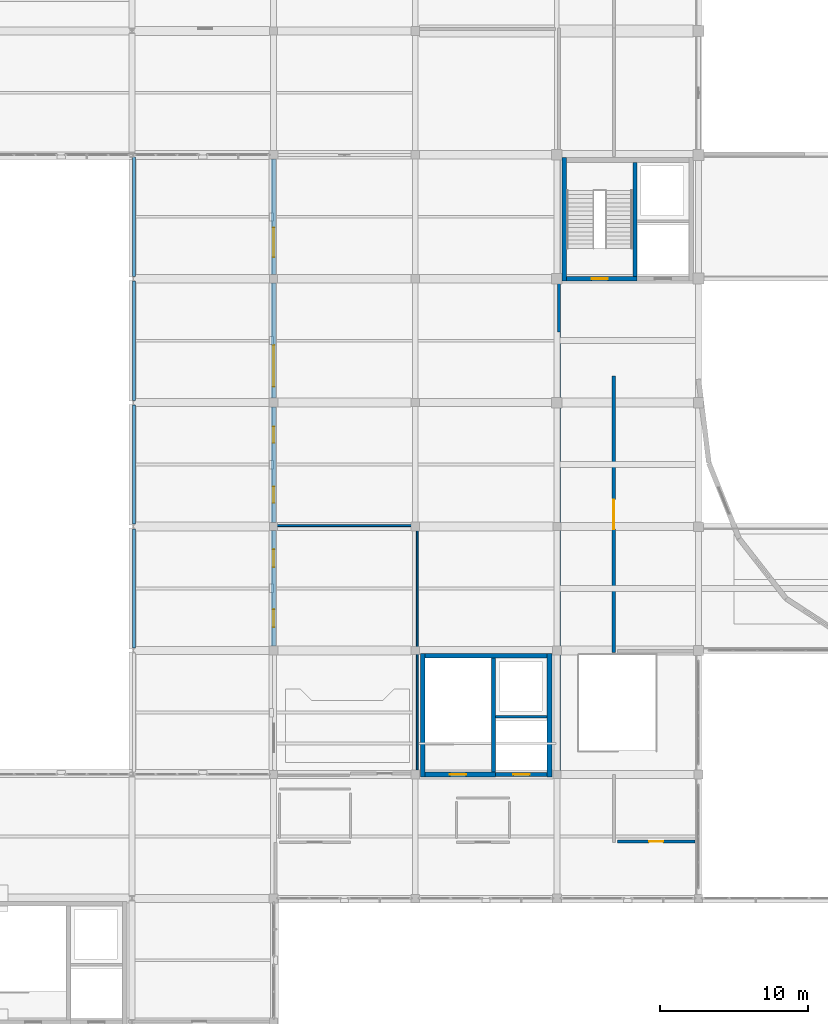
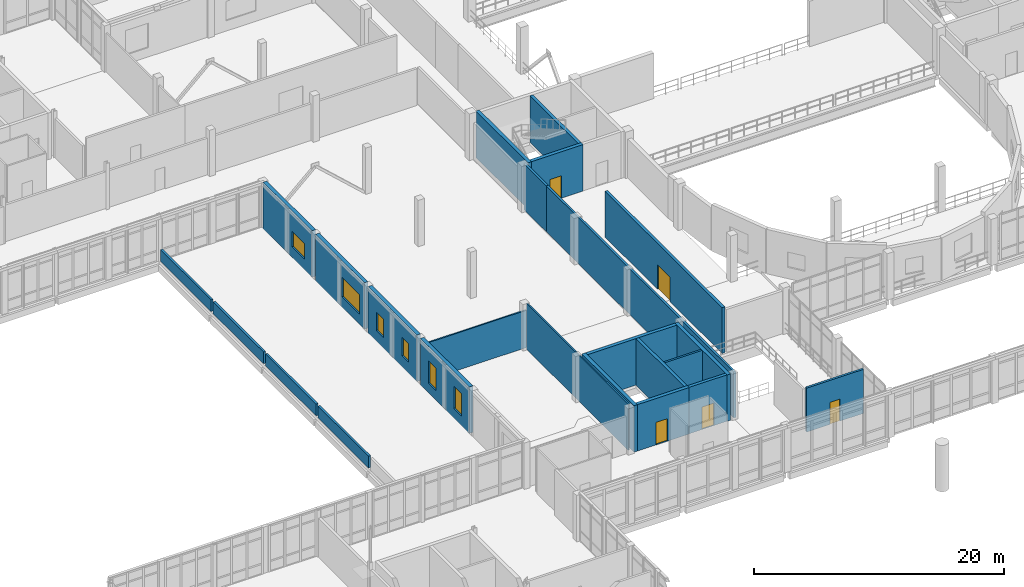
# One storey, part 73 of 88: 24 walls, 6 windows, 5 doors, 11 openings.
"""IFC4 building model written with IfcOpenShell, lengths in metres."""

import ifcopenshell
import ifcopenshell.guid

model = None  # the IFC model being written
_history = None  # IfcOwnerHistory: only IFC2X3 demands one
_inside = {}  # id of a spatial element -> (the spatial element, [elements in it])
_under = {}  # id of a project, library or spatial element -> (it, [spatial elements below it])
_declared = {}  # id of a project -> (the project, [libraries it declares])
_typed = {}  # id of a type object -> (the type object, [elements of that type])
_made_of = {}  # id of a material, layer set ... -> (it, [elements and type objects made of it])


def new_model(schema):
    """Start an empty IFC model of exactly this schema.

    Asked for "IFC4X3", IfcOpenShell would pick the latest addendum, in which some entities
    have other attributes; the version numbers below select the first issue.
    IFC2X3 requires an IfcOwnerHistory on every rooted entity: one is made here for all.
    """
    global model, _history
    if schema == "IFC4X3":
        model = ifcopenshell.file(schema_version=(4, 3, 0, 0))
    else:
        model = ifcopenshell.file(schema=schema)
    _inside.clear()
    _under.clear()
    _declared.clear()
    _typed.clear()
    _made_of.clear()
    _history = None
    if model.schema == "IFC2X3":
        org = make("IfcOrganization", Name="unknown")
        user = make(
            "IfcPersonAndOrganization",
            ThePerson=make("IfcPerson", FamilyName="unknown"),
            TheOrganization=org,
        )
        app = make(
            "IfcApplication",
            ApplicationDeveloper=org,
            Version="unknown",
            ApplicationFullName="unknown",
            ApplicationIdentifier="unknown",
        )
        _history = make(
            "IfcOwnerHistory",
            OwningUser=user,
            OwningApplication=app,
            ChangeAction="ADDED",
            CreationDate=0,
        )
    return model


def make(cls, **values):
    """One entity of the class cls with the attributes given. An attribute that is None is left unset."""
    return model.create_entity(
        cls, **{name: value for name, value in values.items() if value is not None}
    )


def rooted(cls, **values):
    """An entity with a GlobalId (a new one), such as an element, a storey or a relation."""
    return make(cls, GlobalId=ifcopenshell.guid.new(), OwnerHistory=_history, **values)


def si_unit(unit_type, name, prefix=None):
    """IfcSIUnit, for example si_unit("LENGTHUNIT", "METRE", prefix="MILLI")."""
    return make("IfcSIUnit", UnitType=unit_type, Prefix=prefix, Name=name)


def assignment(units):
    """IfcUnitAssignment: the units of a project."""
    return None if units is None else make("IfcUnitAssignment", Units=units)


def point(xyz):
    """IfcCartesianPoint."""
    return None if xyz is None else make("IfcCartesianPoint", Coordinates=xyz)


def direction(xyz):
    """IfcDirection."""
    return None if xyz is None else make("IfcDirection", DirectionRatios=xyz)


def frame(location, z_axis=None, x_axis=None):
    """IfcAxis2Placement3D, a coordinate frame: its origin and axes. An axis left out is left unset."""
    return make(
        "IfcAxis2Placement3D",
        Location=point(location),
        Axis=direction(z_axis),
        RefDirection=direction(x_axis),
    )


def frame_2d(location, x_axis=None):
    """IfcAxis2Placement2D, a coordinate frame in the plane: its origin and x axis."""
    return make(
        "IfcAxis2Placement2D", Location=point(location), RefDirection=direction(x_axis)
    )


def origin():
    """The frame at (0, 0, 0) with its axes left unset."""
    return frame((0.0, 0.0, 0.0))


def place(relative_to, where):
    """IfcLocalPlacement: puts the frame where relative to a parent placement (None: the world)."""
    return make(
        "IfcLocalPlacement", PlacementRelTo=relative_to, RelativePlacement=where
    )


def context(
    kind, dimensions, precision=None, world=None, true_north=None, identifier=None
):
    """IfcGeometricRepresentationContext, for example the 3D "Model" context."""
    return make(
        "IfcGeometricRepresentationContext",
        ContextIdentifier=identifier,
        ContextType=kind,
        CoordinateSpaceDimension=dimensions,
        Precision=precision,
        WorldCoordinateSystem=world,
        TrueNorth=true_north,
    )


def subcontext(parent, identifier, kind, view, scale=None):
    """IfcGeometricRepresentationSubContext, for example "Body" below "Model"."""
    return make(
        "IfcGeometricRepresentationSubContext",
        ContextIdentifier=identifier,
        ContextType=kind,
        ParentContext=parent,
        TargetScale=scale,
        TargetView=view,
    )


def project(units=None, contexts=None):
    """IfcProject with its units and contexts."""
    return rooted(
        "IfcProject",
        Name="project",
        RepresentationContexts=contexts,
        UnitsInContext=assignment(units),
    )


def spatial(cls, under=None, at=None, **own):
    """A site, building, storey or space (cls), placed at a placement, below another one or the project."""
    s = rooted(cls, ObjectPlacement=at, **own)
    if under is not None:
        _under.setdefault(under.id(), (under, []))[1].append(s)
    return s


def profile(cls, at=None, kind="AREA", **sizes):
    """A parametric profile (cls). Its sizes go by their IFC names, for example OverallWidth=200.0."""
    return make(cls, ProfileType=kind, Position=at, **sizes)


def rectangle(**sizes):
    """IfcRectangleProfileDef."""
    return profile("IfcRectangleProfileDef", **sizes)


def extrude(swept, where, along, depth):
    """IfcExtrudedAreaSolid: the profile swept, set in the frame where, extruded along a direction by depth."""
    return make(
        "IfcExtrudedAreaSolid",
        SweptArea=swept,
        Position=where,
        ExtrudedDirection=direction(along),
        Depth=depth,
    )


def shape(context_of_items, identifier, shape_type, items):
    """IfcShapeRepresentation: the items that make up one representation, for example the "Body"."""
    return make(
        "IfcShapeRepresentation",
        ContextOfItems=context_of_items,
        RepresentationIdentifier=identifier,
        RepresentationType=shape_type,
        Items=items,
    )


def material(Name=None, Category=None):
    """IfcMaterial."""
    return make("IfcMaterial", Name=Name, Category=Category)


def layer(
    of_material, thickness, ventilated=None, Name=None, Category=None, Priority=None
):
    """IfcMaterialLayer: one layer of a wall or slab, of a material (None: an air gap)."""
    return make(
        "IfcMaterialLayer",
        Material=of_material,
        LayerThickness=thickness,
        IsVentilated=ventilated,
        Name=Name,
        Category=Category,
        Priority=Priority,
    )


def layer_set(layers, Name=None):
    """IfcMaterialLayerSet."""
    return make("IfcMaterialLayerSet", MaterialLayers=layers, LayerSetName=Name)


def made_of(thing, what):
    """Note that an element or type object is made of a material, layer set ...; save() writes the relation."""
    if what is not None:
        _made_of.setdefault(what.id(), (what, []))[1].append(thing)
    return thing


def type_object(cls, material=None, **own):
    """A type object (cls), such as IfcWallType, which elements share."""
    return made_of(rooted(cls, **own), material)


def element(
    cls,
    number,
    at=None,
    inside=None,
    cuts=None,
    type_object=None,
    material=None,
    context=None,
    identifier="Body",
    shape_type=None,
    held_by="IfcProductDefinitionShape",
    body=None,
    shapes=None,
    **own,
):
    """One element of the class cls, such as IfcWall. Its Tag is "e" and its number.

    at: its placement. inside: the storey or other place that contains it. cuts: it is an
    opening in that element (IfcRelVoidsElement). A single representation is given by context,
    identifier, shape_type and body (its items); several are given by shapes. held_by: the class
    of the entity that holds the representations. save() writes the other relations.
    """
    e = rooted(cls, Tag="e%d" % number, ObjectPlacement=at, **own)
    if body is not None:
        shapes = [shape(context, identifier, shape_type, body)]
    if shapes is not None:
        e.Representation = make(held_by, Representations=shapes)
    if inside is not None:
        _inside.setdefault(inside.id(), (inside, []))[1].append(e)
    if cuts is not None:
        rooted(
            "IfcRelVoidsElement", RelatingBuildingElement=cuts, RelatedOpeningElement=e
        )
    if type_object is not None:
        _typed.setdefault(type_object.id(), (type_object, []))[1].append(e)
    return made_of(e, material)


def fill(opening, filler):
    """IfcRelFillsElement: the door or window that sits in an opening."""
    return rooted(
        "IfcRelFillsElement",
        RelatingOpeningElement=opening,
        RelatedBuildingElement=filler,
    )


def aggregate(whole, parts):
    """IfcRelAggregates: a whole, such as a stair, and the parts it consists of."""
    return rooted("IfcRelAggregates", RelatingObject=whole, RelatedObjects=parts)


def save(model, path):
    """Write the relations noted so far, then the file.

    IfcRelAggregates (storeys below a building ...), IfcRelContainedInSpatialStructure (elements
    in a storey), IfcRelDefinesByType, IfcRelAssociatesMaterial and IfcRelDeclares: one each for
    every whole, place, type object, material and project.
    """
    for whole, parts in _under.values():
        aggregate(whole, parts)
    for where, things in _inside.values():
        rooted(
            "IfcRelContainedInSpatialStructure",
            RelatedElements=things,
            RelatingStructure=where,
        )
    for kind, things in _typed.values():
        rooted("IfcRelDefinesByType", RelatedObjects=things, RelatingType=kind)
    for what, things in _made_of.values():
        rooted("IfcRelAssociatesMaterial", RelatedObjects=things, RelatingMaterial=what)
    for by, libraries in _declared.values():
        rooted("IfcRelDeclares", RelatingContext=by, RelatedDefinitions=libraries)
    model.write(path)


model = new_model("IFC4")

# Units and contexts
model_context = context("Model", 3, precision=1e-05, world=origin(), true_north=direction((0.0, 1.0)))
body_context = subcontext(model_context, "Body", "Model", "MODEL_VIEW")
ifc_project = project(units=[si_unit("LENGTHUNIT", "METRE"), si_unit("AREAUNIT", "SQUARE_METRE"), si_unit("VOLUMEUNIT", "CUBIC_METRE"), si_unit("PLANEANGLEUNIT", "RADIAN"), si_unit("MASSUNIT", "GRAM", prefix="KILO")], contexts=[model_context])

# Site, building, storey
site_placement = place(None, origin())
site = spatial("IfcSite", under=ifc_project, at=site_placement, CompositionType="ELEMENT")
building_placement = place(site_placement, origin())
building = spatial("IfcBuilding", under=site, at=building_placement, Name="Lornevale Opera House", CompositionType="ELEMENT")
storey_placement = place(building_placement, frame((0.0, 0.0, 10.199951171875)))
storey = spatial("IfcBuildingStorey", under=building, at=storey_placement, Name="L03", CompositionType="ELEMENT", Elevation=10.199951171875)

# Wall, opening, door
ifc_material_1 = material(Name="Acoustic Mineral-Core Gypsum Partition", Category="gypsum")
ifc_layer_1 = layer(ifc_material_1, 0.25)
ifc_layer_set_1 = layer_set([ifc_layer_1], Name="Acoustic Mineral-Core Gypsum Partition")
wall_type_1 = type_object("IfcWallType", Name="Auditorium Box-in-Box Liner 250", PredefinedType="SOLIDWALL", material=ifc_layer_set_1)
wall_1_placement = place(storey_placement, frame((61.4599609375, 33.449951171875, 0.0), z_axis=(0.0, 0.0, 1.0), x_axis=(0.0, 1.0, 0.0)))
wall_1 = element("IfcWall", 1, at=wall_1_placement, inside=storey, type_object=wall_type_1, Name="L03 Partition WL-INT-0818", PredefinedType="SOLIDWALL", context=body_context, shape_type="SweptSolid", body=[
    extrude(rectangle(XDim=18.75, YDim=0.25, at=frame_2d((9.375, 0.0))), origin(), (0.0, 0.0, 1.0), 4.47998046875),
])
opening_1_placement = place(wall_1_placement, frame((8.375, 0.0, 0.0)))
opening_1 = element("IfcOpeningElement", 2, at=opening_1_placement, cuts=wall_1, Name="Opening DR-T14", PredefinedType="OPENING", context=body_context, shape_type="SweptSolid", body=[
    extrude(rectangle(XDim=2.0, YDim=2.39990234375, at=frame_2d((1.0, 1.199951171875))), frame((0.0, 0.135009765625, 0.0), z_axis=(0.0, -1.0, 0.0), x_axis=(1.0, 0.0, 0.0)), (0.0, 0.0, 1.0), 0.27001953125),
])
ifc_material_2 = material(Name="White Oak Acoustic Panelling", Category="wood")
ifc_layer_2 = layer(ifc_material_2, 2.39990234375)
ifc_layer_set_2 = layer_set([ifc_layer_2], Name="White Oak Acoustic Panelling")
door_type_1 = type_object("IfcDoorType", Name="Auditorium Acoustic Sound-Lock Pair 2000x2400", OperationType="NOTDEFINED", PredefinedType="DOOR", material=ifc_layer_set_2)
door_1_placement = place(opening_1_placement, origin())
door_1 = element("IfcDoor", 3, at=door_1_placement, inside=storey, type_object=door_type_1, Name="Auditorium Dress Circle Tier Door", OperationType="DOUBLE_SWING_LEFT", OverallHeight=2.39990234375, OverallWidth=2.0, PredefinedType="DOOR", context=body_context, shape_type="SweptSolid", body=[
    extrude(rectangle(XDim=2.0, YDim=2.39990234375, at=frame_2d((1.0, 1.199951171875))), frame((0.0, 0.02490234375, 0.0), z_axis=(0.0, -1.0, 0.0), x_axis=(1.0, 0.0, 0.0)), (0.0, 0.0, 1.0), 0.050048828125),
])
fill(opening_1, door_1)

ifc_material_3 = material(Name="Concrete 40 MPa (CSA A23.1 C-1)", Category="concrete")
ifc_layer_3 = layer(ifc_material_3, 0.320068359375)
ifc_layer_set_3 = layer_set([ifc_layer_3], Name="Concrete 40 MPa (CSA A23.1 C-1)")
wall_type_2 = type_object("IfcWallType", Name="Core Shear Wall 320", PredefinedType="SHEAR", material=ifc_layer_set_3)
wall_2_placement = place(storey_placement, frame((48.659912109375, 25.199951171875, 0.0), z_axis=(0.0, 0.0, 1.0), x_axis=(1.0, 0.0, 0.0)))
wall_2 = element("IfcWall", 4, at=wall_2_placement, inside=storey, type_object=wall_type_2, Name="South-West Foyer Core Core Shear Wall 320 WL-COR-0029", PredefinedType="SHEAR", context=body_context, shape_type="SweptSolid", body=[
    extrude(rectangle(XDim=4.780029296875, YDim=0.320068359375, at=frame_2d((2.39013671875, 0.0))), origin(), (0.0, 0.0, 1.0), 4.5400390625),
])
opening_2_placement = place(wall_2_placement, frame((1.68994140625, 0.0, 0.0)))
opening_2 = element("IfcOpeningElement", 5, at=opening_2_placement, cuts=wall_2, Name="Opening DR-T10", PredefinedType="OPENING", context=body_context, shape_type="SweptSolid", body=[
    extrude(rectangle(XDim=1.10009765625, YDim=2.199951171875, at=frame_2d((0.550048828125, 1.10009765625))), frame((0.0, 0.169921875, 0.0), z_axis=(0.0, -1.0, 0.0), x_axis=(1.0, 0.0, 0.0)), (0.0, 0.0, 1.0), 0.340087890625),
])
ifc_material_4 = material(Name="Painted Hollow Metal Door Steel", Category="steel")
ifc_layer_4 = layer(ifc_material_4, 2.199951171875)
ifc_layer_set_4 = layer_set([ifc_layer_4], Name="Painted Hollow Metal Door Steel")
door_type_2 = type_object("IfcDoorType", Name="Protected Exit Stair Door L 1100x2200", OperationType="NOTDEFINED", PredefinedType="DOOR", material=ifc_layer_set_4)
door_2_placement = place(opening_2_placement, origin())
door_2 = element("IfcDoor", 6, at=door_2_placement, inside=storey, type_object=door_type_2, Name="C1 Stair Door L03", OperationType="SINGLE_SWING_LEFT", OverallHeight=2.199951171875, OverallWidth=1.10009765625, PredefinedType="DOOR", context=body_context, shape_type="SweptSolid", body=[
    extrude(rectangle(XDim=1.10009765625, YDim=2.199951171875, at=frame_2d((0.550048828125, 1.10009765625))), frame((0.0, 0.02490234375, 0.0), z_axis=(0.0, -1.0, 0.0), x_axis=(1.0, 0.0, 0.0)), (0.0, 0.0, 1.0), 0.050048828125),
])
fill(opening_2, door_2)

# Walls
wall_3_placement = place(storey_placement, frame((56.93994140625, 33.239990234375, 0.0), z_axis=(0.0, 0.0, 1.0), x_axis=(-1.0, 0.0, 0.0)))
element("IfcWall", 7, at=wall_3_placement, inside=storey, type_object=wall_type_2, Name="South-West Foyer Core Core Shear Wall 320 WL-COR-0031", PredefinedType="SHEAR", context=body_context, shape_type="SweptSolid", body=[
    extrude(rectangle(XDim=8.280029296875, YDim=0.320068359375, at=frame_2d((4.14013671875, 0.0))), origin(), (0.0, 0.0, 1.0), 4.5400390625),
])
for number, where, z_axis, x_axis, name in (
    (8, (48.5, 33.39990234375, 0.0), (0.0, 0.0, 1.0), (0.0, -1.0, 0.0), "South-West Foyer Core Core Shear Wall 320 WL-COR-0032"),
    (9, (57.10009765625, 25.0400390625, 0.0), (0.0, 0.0, 1.0), (0.0, 1.0, 0.0), "South-West Foyer Core Core Shear Wall 320 WL-COR-0033"),
):
    element("IfcWall", number, at=place(storey_placement, frame(where, z_axis=z_axis, x_axis=x_axis)), inside=storey, type_object=wall_type_2, Name=name, PredefinedType="SHEAR", context=body_context, shape_type="SweptSolid", body=[
        extrude(rectangle(XDim=8.35986328125, YDim=0.320068359375, at=frame_2d((4.179931640625, 0.0))), origin(), (0.0, 0.0, 1.0), 4.5400390625),
    ])

# Wall, opening, door
wall_4_placement = place(storey_placement, frame((58.260009765625, 58.800048828125, 0.0), z_axis=(0.0, 0.0, 1.0), x_axis=(1.0, 0.0, 0.0)))
wall_4 = element("IfcWall", 10, at=wall_4_placement, inside=storey, type_object=wall_type_2, Name="Auditorium West Tier Core Core Shear Wall 320 WL-COR-0176", PredefinedType="SHEAR", context=body_context, shape_type="SweptSolid", body=[
    extrude(rectangle(XDim=4.780029296875, YDim=0.320068359375, at=frame_2d((2.39013671875, 0.0))), origin(), (0.0, 0.0, 1.0), 4.5400390625),
])
opening_3_placement = place(wall_4_placement, frame((1.68994140625, 0.0, 0.0)))
opening_3 = element("IfcOpeningElement", 11, at=opening_3_placement, cuts=wall_4, Name="Opening DR-T10", PredefinedType="OPENING", context=body_context, shape_type="SweptSolid", body=[
    extrude(rectangle(XDim=1.10009765625, YDim=2.199951171875, at=frame_2d((0.550048828125, 1.10009765625))), frame((0.0, 0.169921875, 0.0), z_axis=(0.0, -1.0, 0.0), x_axis=(1.0, 0.0, 0.0)), (0.0, 0.0, 1.0), 0.340087890625),
])
door_3_placement = place(opening_3_placement, origin())
door_3 = element("IfcDoor", 12, at=door_3_placement, inside=storey, type_object=door_type_2, Name="C5 Stair Door L03", OperationType="SINGLE_SWING_LEFT", OverallHeight=2.199951171875, OverallWidth=1.10009765625, PredefinedType="DOOR", context=body_context, shape_type="SweptSolid", body=[
    extrude(rectangle(XDim=1.10009765625, YDim=2.199951171875, at=frame_2d((0.550048828125, 1.10009765625))), frame((0.0, 0.02490234375, 0.0), z_axis=(0.0, -1.0, 0.0), x_axis=(1.0, 0.0, 0.0)), (0.0, 0.0, 1.0), 0.050048828125),
])
fill(opening_3, door_3)

# Walls
wall_5_placement = place(storey_placement, frame((58.10009765625, 67.0, 0.0), z_axis=(0.0, 0.0, 1.0), x_axis=(0.0, -1.0, 0.0)))
element("IfcWall", 13, at=wall_5_placement, inside=storey, type_object=wall_type_2, Name="Auditorium West Tier Core Core Shear Wall 320 WL-COR-0179", PredefinedType="SHEAR", context=body_context, shape_type="SweptSolid", body=[
    extrude(rectangle(XDim=8.360107421875, YDim=0.320068359375, at=frame_2d((4.18017578125, 0.0))), origin(), (0.0, 0.0, 1.0), 4.5400390625),
])
ifc_layer_5 = layer(ifc_material_1, 0.125)
ifc_layer_set_5 = layer_set([ifc_layer_5], Name="Acoustic Mineral-Core Gypsum Partition")
wall_type_3 = type_object("IfcWallType", Name="Dressing Suite Partition 125", PredefinedType="PARTITIONING", material=ifc_layer_set_5)
wall_6_placement = place(storey_placement, frame((38.6201171875, 42.06005859375, 0.0), z_axis=(0.0, 0.0, 1.0), x_axis=(1.0, 0.0, 0.0)))
element("IfcWall", 14, at=wall_6_placement, inside=storey, type_object=wall_type_3, Name="L03 Partition WL-INT-0852", PredefinedType="PARTITIONING", context=body_context, shape_type="SweptSolid", body=[
    extrude(rectangle(XDim=9.579833984375, YDim=0.125, at=frame_2d((4.7900390625, 0.0))), origin(), (0.0, 0.0, 1.0), 3.649169921875),
])
wall_7_placement = place(storey_placement, frame((48.139892578125, 25.510009765625, 0.0), z_axis=(0.0, 0.0, 1.0), x_axis=(0.0, 1.0, 0.0)))
element("IfcWall", 15, at=wall_7_placement, inside=storey, type_object=wall_type_3, Name="L03 Partition WL-INT-0853", PredefinedType="PARTITIONING", context=body_context, shape_type="SweptSolid", body=[
    extrude(rectangle(XDim=16.300048828125, YDim=0.125, at=frame_2d((8.14990234375, 0.0))), origin(), (0.0, 0.0, 1.0), 4.47998046875),
])

# Wall, opening, door
ifc_layer_6 = layer(ifc_material_3, 0.280029296875)
ifc_layer_set_6 = layer_set([ifc_layer_6], Name="Concrete 40 MPa (CSA A23.1 C-1)")
wall_type_4 = type_object("IfcWallType", Name="Elevator Shaft Wall 280", PredefinedType="SHEAR", material=ifc_layer_set_6)
wall_8_placement = place(storey_placement, frame((53.43994140625, 25.199951171875, 0.0), z_axis=(0.0, 0.0, 1.0), x_axis=(1.0, 0.0, 0.0)))
wall_8 = element("IfcWall", 16, at=wall_8_placement, inside=storey, type_object=wall_type_4, Name="South-West Foyer Core Elevator Shaft Wall 280 WL-COR-0030", PredefinedType="SHEAR", context=body_context, shape_type="SweptSolid", body=[
    extrude(rectangle(XDim=3.5, YDim=0.280029296875, at=frame_2d((1.75, 0.0))), origin(), (0.0, 0.0, 1.0), 4.5400390625),
])
opening_4_placement = place(wall_8_placement, frame((1.2099609375, 0.0, 0.0)))
opening_4 = element("IfcOpeningElement", 17, at=opening_4_placement, cuts=wall_8, Name="Opening DR-T25", PredefinedType="OPENING", context=body_context, shape_type="SweptSolid", body=[
    extrude(rectangle(XDim=1.10009765625, YDim=2.199951171875, at=frame_2d((0.550048828125, 1.10009765625))), frame((0.0, 0.14990234375, 0.0), z_axis=(0.0, -1.0, 0.0), x_axis=(1.0, 0.0, 0.0)), (0.0, 0.0, 1.0), 0.300048828125),
])
ifc_layer_7 = layer(ifc_material_4, 2.199951171875)
ifc_layer_set_7 = layer_set([ifc_layer_7], Name="Painted Hollow Metal Door Steel")
door_type_3 = type_object("IfcDoorType", Name="Passenger Lift Landing Door 1100x2200", OperationType="NOTDEFINED", PredefinedType="DOOR", material=ifc_layer_set_7)
door_4_placement = place(opening_4_placement, origin())
door_4 = element("IfcDoor", 18, at=door_4_placement, inside=storey, type_object=door_type_3, Name="L-P1 Landing Door L03", OperationType="SLIDING_TO_LEFT", OverallHeight=2.199951171875, OverallWidth=1.10009765625, PredefinedType="DOOR", context=body_context, shape_type="SweptSolid", body=[
    extrude(rectangle(XDim=1.10009765625, YDim=2.199951171875, at=frame_2d((0.550048828125, 1.10009765625))), frame((0.0, 0.02490234375, 0.0), z_axis=(0.0, -1.0, 0.0), x_axis=(1.0, 0.0, 0.0)), (0.0, 0.0, 1.0), 0.050048828125),
])
fill(opening_4, door_4)

# Walls
for number, where, z_axis, x_axis, name in (
    (19, (53.300048828125, 25.360107421875, 0.0), (0.0, 0.0, 1.0), (0.0, 1.0, 0.0), "South-West Foyer Core Elevator Shaft Wall 280 WL-COR-0034"),
    (20, (62.89990234375, 58.9599609375, 0.0), (0.0, 0.0, 1.0), (0.0, 1.0, 0.0), "Auditorium West Tier Core Elevator Shaft Wall 280 WL-COR-0181"),
):
    element("IfcWall", number, at=place(storey_placement, frame(where, z_axis=z_axis, x_axis=x_axis)), inside=storey, type_object=wall_type_4, Name=name, PredefinedType="SHEAR", context=body_context, shape_type="SweptSolid", body=[
        extrude(rectangle(XDim=7.719970703125, YDim=0.280029296875, at=frame_2d((3.85986328125, 0.0))), origin(), (0.0, 0.0, 1.0), 4.5400390625),
    ])
ifc_material_5 = material(Name="Precast Concrete 40 MPa (CSA A23.1 C-1)", Category="concrete")
ifc_layer_8 = layer(ifc_material_5, 0.195068359375)
ifc_layer_set_8 = layer_set([ifc_layer_8], Name="Precast Concrete 40 MPa (CSA A23.1 C-1)")
wall_type_5 = type_object("IfcWallType", Name="Green Roof Parapet Wall 195", PredefinedType="PARAPET", material=ifc_layer_set_8)
wall_9_placement = place(storey_placement, frame((28.929931640625, 42.159912109375, 0.0), z_axis=(0.0, 0.0, 1.0), x_axis=(0.0, 1.0, 0.0)))
element("IfcWall", 21, at=wall_9_placement, inside=storey, type_object=wall_type_5, Name="Green Roof Parapet Wall 195 0398", PredefinedType="PARAPET", context=body_context, shape_type="SweptSolid", body=[
    extrude(rectangle(XDim=8.080078125, YDim=0.195068359375, at=frame_2d((4.0400390625, 0.0))), origin(), (0.0, 0.0, 1.0), 1.150146484375),
])
wall_10_placement = place(storey_placement, frame((28.929931640625, 50.56005859375, 0.0), z_axis=(0.0, 0.0, 1.0), x_axis=(0.0, 1.0, 0.0)))
element("IfcWall", 22, at=wall_10_placement, inside=storey, type_object=wall_type_5, Name="Green Roof Parapet Wall 195 0399", PredefinedType="PARAPET", context=body_context, shape_type="SweptSolid", body=[
    extrude(rectangle(XDim=8.079833984375, YDim=0.195068359375, at=frame_2d((4.0400390625, 0.0))), origin(), (0.0, 0.0, 1.0), 1.150146484375),
])
for number, where, z_axis, x_axis, name in (
    (23, (28.929931640625, 58.9599609375, 0.0), (0.0, 0.0, 1.0), (0.0, 1.0, 0.0), "Green Roof Parapet Wall 195 0400"),
    (24, (28.929931640625, 33.760009765625, 0.0), (0.0, 0.0, 1.0), (0.0, 1.0, 0.0), "Green Roof Parapet Wall 195 0402"),
):
    element("IfcWall", number, at=place(storey_placement, frame(where, z_axis=z_axis, x_axis=x_axis)), inside=storey, type_object=wall_type_5, Name=name, PredefinedType="PARAPET", context=body_context, shape_type="SweptSolid", body=[
        extrude(rectangle(XDim=8.080078125, YDim=0.195068359375, at=frame_2d((4.0400390625, 0.0))), origin(), (0.0, 0.0, 1.0), 1.150146484375),
    ])

# Wall, openings, windows
ifc_material_6 = material(Name="Credit Valley Sandstone Ashlar Masonry (25 MPa)", Category="masonry")
ifc_layer_9 = layer(ifc_material_6, 0.340087890625)
ifc_layer_set_9 = layer_set([ifc_layer_9], Name="Credit Valley Sandstone Ashlar Masonry (25 MPa)")
wall_type_6 = type_object("IfcWallType", Name="Polychrome Drum Cavity Wall 340", PredefinedType="SOLIDWALL", material=ifc_layer_set_9)
wall_11_placement = place(storey_placement, frame((38.39990234375, 33.89990234375, 0.0), z_axis=(0.0, 0.0, 1.0), x_axis=(0.0, 1.0, 0.0)))
wall_11 = element("IfcWall", 25, at=wall_11_placement, inside=storey, type_object=wall_type_6, Name="Polychrome Drum Cavity Wall 340 WL-EXT-0226", PredefinedType="SOLIDWALL", context=body_context, shape_type="SweptSolid", body=[
    extrude(rectangle(XDim=7.8251953125, YDim=0.340087890625, at=frame_2d((3.91259765625, 0.0))), origin(), (0.0, 0.0, 1.0), 4.5400390625),
])
opening_5_placement = place(wall_11_placement, frame((1.278076171875, 0.0, 0.949951171875)))
opening_5 = element("IfcOpeningElement", 26, at=opening_5_placement, cuts=wall_11, Name="Opening WN-T03", PredefinedType="OPENING", context=body_context, shape_type="SweptSolid", body=[
    extrude(rectangle(XDim=1.199951171875, YDim=2.199951171875, at=frame_2d((0.60009765625, 1.10009765625))), frame((0.0, 0.179931640625, 0.0), z_axis=(0.0, -1.0, 0.0), x_axis=(1.0, 0.0, 0.0)), (0.0, 0.0, 1.0), 0.360107421875),
])
opening_6_placement = place(wall_11_placement, frame((5.346923828125, 0.0, 0.949951171875)))
opening_6 = element("IfcOpeningElement", 27, at=opening_6_placement, cuts=wall_11, Name="Opening WN-T03", PredefinedType="OPENING", context=body_context, shape_type="SweptSolid", body=[
    extrude(rectangle(XDim=1.199951171875, YDim=2.199951171875, at=frame_2d((0.60009765625, 1.10009765625))), frame((0.0, 0.179931640625, 0.0), z_axis=(0.0, -1.0, 0.0), x_axis=(1.0, 0.0, 0.0)), (0.0, 0.0, 1.0), 0.360107421875),
])
ifc_material_7 = material(Name="Triple Low-E Insulated Glazing", Category="glass")
ifc_layer_10 = layer(ifc_material_7, 0.06005859375)
ifc_layer_set_10 = layer_set([ifc_layer_10], Name="Triple Low-E Insulated Glazing")
window_type_1 = type_object("IfcWindowType", Name="Punched Deep-Reveal Window 1200x2200", PartitioningType="NOTDEFINED", PredefinedType="WINDOW", material=ifc_layer_set_10)
window_1_placement = place(opening_5_placement, origin())
window_1 = element("IfcWindow", 28, at=window_1_placement, inside=storey, type_object=window_type_1, Name="Punched Deep-Reveal Window 1200x2200 WN-0070", OverallHeight=2.199951171875, OverallWidth=1.199951171875, PartitioningType="SINGLE_PANEL", PredefinedType="WINDOW", context=body_context, shape_type="SweptSolid", body=[
    extrude(rectangle(XDim=1.199951171875, YDim=2.199951171875, at=frame_2d((0.60009765625, 1.10009765625))), frame((0.0, 0.030029296875, 0.0), z_axis=(0.0, -1.0, 0.0), x_axis=(1.0, 0.0, 0.0)), (0.0, 0.0, 1.0), 0.06005859375),
])
fill(opening_5, window_1)
window_2_placement = place(opening_6_placement, origin())
window_2 = element("IfcWindow", 29, at=window_2_placement, inside=storey, type_object=window_type_1, Name="Punched Deep-Reveal Window 1200x2200 WN-0071", OverallHeight=2.199951171875, OverallWidth=1.199951171875, PartitioningType="SINGLE_PANEL", PredefinedType="WINDOW", context=body_context, shape_type="SweptSolid", body=[
    extrude(rectangle(XDim=1.199951171875, YDim=2.199951171875, at=frame_2d((0.60009765625, 1.10009765625))), frame((0.0, 0.030029296875, 0.0), z_axis=(0.0, -1.0, 0.0), x_axis=(1.0, 0.0, 0.0)), (0.0, 0.0, 1.0), 0.06005859375),
])
fill(opening_6, window_2)

wall_12_placement = place(storey_placement, frame((38.39990234375, 42.27490234375, 0.0), z_axis=(0.0, 0.0, 1.0), x_axis=(0.0, 1.0, 0.0)))
wall_12 = element("IfcWall", 30, at=wall_12_placement, inside=storey, type_object=wall_type_6, Name="Polychrome Drum Cavity Wall 340 WL-EXT-0227", PredefinedType="SOLIDWALL", context=body_context, shape_type="SweptSolid", body=[
    extrude(rectangle(XDim=7.8251953125, YDim=0.340087890625, at=frame_2d((3.91259765625, 0.0))), origin(), (0.0, 0.0, 1.0), 4.5400390625),
])
opening_7_placement = place(wall_12_placement, frame((1.327880859375, 0.0, 1.050048828125)))
opening_7 = element("IfcOpeningElement", 31, at=opening_7_placement, cuts=wall_12, Name="Opening WN-T06", PredefinedType="OPENING", context=body_context, shape_type="SweptSolid", body=[
    extrude(rectangle(XDim=1.10009765625, YDim=1.800048828125, at=frame_2d((0.550048828125, 0.89990234375))), frame((0.0, 0.179931640625, 0.0), z_axis=(0.0, -1.0, 0.0), x_axis=(1.0, 0.0, 0.0)), (0.0, 0.0, 1.0), 0.360107421875),
])
opening_8_placement = place(wall_12_placement, frame((5.39697265625, 0.0, 1.050048828125)))
opening_8 = element("IfcOpeningElement", 32, at=opening_8_placement, cuts=wall_12, Name="Opening WN-T06", PredefinedType="OPENING", context=body_context, shape_type="SweptSolid", body=[
    extrude(rectangle(XDim=1.10009765625, YDim=1.800048828125, at=frame_2d((0.550048828125, 0.89990234375))), frame((0.0, 0.179931640625, 0.0), z_axis=(0.0, -1.0, 0.0), x_axis=(1.0, 0.0, 0.0)), (0.0, 0.0, 1.0), 0.360107421875),
])
ifc_layer_11 = layer(ifc_material_7, 0.06005859375)
ifc_layer_set_11 = layer_set([ifc_layer_11], Name="Triple Low-E Insulated Glazing")
window_type_2 = type_object("IfcWindowType", Name="Dressing Suite Operable Window 1100x1800", PartitioningType="NOTDEFINED", PredefinedType="WINDOW", material=ifc_layer_set_11)
window_3_placement = place(opening_7_placement, origin())
window_3 = element("IfcWindow", 33, at=window_3_placement, inside=storey, type_object=window_type_2, Name="Dressing Suite Operable Window 1100x1800 WN-0072", OverallHeight=1.800048828125, OverallWidth=1.10009765625, PartitioningType="SINGLE_PANEL", PredefinedType="WINDOW", context=body_context, shape_type="SweptSolid", body=[
    extrude(rectangle(XDim=1.10009765625, YDim=1.800048828125, at=frame_2d((0.550048828125, 0.89990234375))), frame((0.0, 0.030029296875, 0.0), z_axis=(0.0, -1.0, 0.0), x_axis=(1.0, 0.0, 0.0)), (0.0, 0.0, 1.0), 0.06005859375),
])
fill(opening_7, window_3)
window_4_placement = place(opening_8_placement, origin())
window_4 = element("IfcWindow", 34, at=window_4_placement, inside=storey, type_object=window_type_2, Name="Dressing Suite Operable Window 1100x1800 WN-0073", OverallHeight=1.800048828125, OverallWidth=1.10009765625, PartitioningType="SINGLE_PANEL", PredefinedType="WINDOW", context=body_context, shape_type="SweptSolid", body=[
    extrude(rectangle(XDim=1.10009765625, YDim=1.800048828125, at=frame_2d((0.550048828125, 0.89990234375))), frame((0.0, 0.030029296875, 0.0), z_axis=(0.0, -1.0, 0.0), x_axis=(1.0, 0.0, 0.0)), (0.0, 0.0, 1.0), 0.06005859375),
])
fill(opening_8, window_4)

# Wall, opening, window
wall_13_placement = place(storey_placement, frame((38.39990234375, 50.699951171875, 0.0), z_axis=(0.0, 0.0, 1.0), x_axis=(0.0, 1.0, 0.0)))
wall_13 = element("IfcWall", 35, at=wall_13_placement, inside=storey, type_object=wall_type_6, Name="Polychrome Drum Cavity Wall 340 WL-EXT-0228", PredefinedType="SOLIDWALL", context=body_context, shape_type="SweptSolid", body=[
    extrude(rectangle(XDim=7.824951171875, YDim=0.340087890625, at=frame_2d((3.91259765625, 0.0))), origin(), (0.0, 0.0, 1.0), 4.5400390625),
])
opening_9_placement = place(wall_13_placement, frame((0.791015625, 0.0, 1.0)))
opening_9 = element("IfcOpeningElement", 36, at=opening_9_placement, cuts=wall_13, Name="Opening WN-T09", PredefinedType="OPENING", context=body_context, shape_type="SweptSolid", body=[
    extrude(rectangle(XDim=2.800048828125, YDim=1.89990234375, at=frame_2d((1.39990234375, 0.949951171875))), frame((0.0, 0.179931640625, 0.0), z_axis=(0.0, -1.0, 0.0), x_axis=(1.0, 0.0, 0.0)), (0.0, 0.0, 1.0), 0.360107421875),
])
ifc_layer_12 = layer(ifc_material_7, 0.06005859375)
ifc_layer_set_12 = layer_set([ifc_layer_12], Name="Triple Low-E Insulated Glazing")
window_type_3 = type_object("IfcWindowType", Name="Administration Ribbon Window 2800x1900", PartitioningType="NOTDEFINED", PredefinedType="WINDOW", material=ifc_layer_set_12)
window_5_placement = place(opening_9_placement, origin())
window_5 = element("IfcWindow", 37, at=window_5_placement, inside=storey, type_object=window_type_3, Name="Administration Ribbon Window 2800x1900 WN-0074", OverallHeight=1.89990234375, OverallWidth=2.800048828125, PartitioningType="SINGLE_PANEL", PredefinedType="WINDOW", context=body_context, shape_type="SweptSolid", body=[
    extrude(rectangle(XDim=2.800048828125, YDim=1.89990234375, at=frame_2d((1.39990234375, 0.949951171875))), frame((0.0, 0.030029296875, 0.0), z_axis=(0.0, -1.0, 0.0), x_axis=(1.0, 0.0, 0.0)), (0.0, 0.0, 1.0), 0.06005859375),
])
fill(opening_9, window_5)

wall_14_placement = place(storey_placement, frame((38.39990234375, 59.074951171875, 0.0), z_axis=(0.0, 0.0, 1.0), x_axis=(0.0, 1.0, 0.0)))
wall_14 = element("IfcWall", 38, at=wall_14_placement, inside=storey, type_object=wall_type_6, Name="Polychrome Drum Cavity Wall 340 WL-EXT-0229", PredefinedType="SOLIDWALL", context=body_context, shape_type="SweptSolid", body=[
    extrude(rectangle(XDim=7.824951171875, YDim=0.340087890625, at=frame_2d((3.91259765625, 0.0))), origin(), (0.0, 0.0, 1.0), 4.5400390625),
])
opening_10_placement = place(wall_14_placement, frame((1.19091796875, 0.0, 1.050048828125)))
opening_10 = element("IfcOpeningElement", 39, at=opening_10_placement, cuts=wall_14, Name="Opening WN-T11", PredefinedType="OPENING", context=body_context, shape_type="SweptSolid", body=[
    extrude(rectangle(XDim=2.0, YDim=1.5, at=frame_2d((1.0, 0.75))), frame((0.0, 0.179931640625, 0.0), z_axis=(0.0, -1.0, 0.0), x_axis=(1.0, 0.0, 0.0)), (0.0, 0.0, 1.0), 0.360107421875),
])
ifc_layer_13 = layer(ifc_material_7, 0.06005859375)
ifc_layer_set_13 = layer_set([ifc_layer_13], Name="Triple Low-E Insulated Glazing")
window_type_4 = type_object("IfcWindowType", Name="Workshop Operable Window 2000x1500", PartitioningType="NOTDEFINED", PredefinedType="WINDOW", material=ifc_layer_set_13)
window_6_placement = place(opening_10_placement, origin())
window_6 = element("IfcWindow", 40, at=window_6_placement, inside=storey, type_object=window_type_4, Name="Workshop Operable Window 2000x1500 WN-0075", OverallHeight=1.5, OverallWidth=2.0, PartitioningType="SINGLE_PANEL", PredefinedType="WINDOW", context=body_context, shape_type="SweptSolid", body=[
    extrude(rectangle(XDim=2.0, YDim=1.5, at=frame_2d((1.0, 0.75))), frame((0.0, 0.030029296875, 0.0), z_axis=(0.0, -1.0, 0.0), x_axis=(1.0, 0.0, 0.0)), (0.0, 0.0, 1.0), 0.06005859375),
])
fill(opening_10, window_6)

# Walls
ifc_layer_14 = layer(ifc_material_1, 0.199951171875)
ifc_layer_set_14 = layer_set([ifc_layer_14], Name="Acoustic Mineral-Core Gypsum Partition")
wall_type_7 = type_object("IfcWallType", Name="Practice Studio Double-Stud Wall 200", PredefinedType="SOLIDWALL", material=ifc_layer_set_14)
wall_15_placement = place(storey_placement, frame((57.739990234375, 25.199951171875, 0.0), z_axis=(0.0, 0.0, 1.0), x_axis=(0.0, 1.0, 0.0)))
element("IfcWall", 41, at=wall_15_placement, inside=storey, type_object=wall_type_7, Name="L03 Partition WL-INT-0824", PredefinedType="SOLIDWALL", context=body_context, shape_type="SweptSolid", body=[
    extrude(rectangle(XDim=30.0, YDim=0.199951171875, at=frame_2d((15.0, 0.0))), origin(), (0.0, 0.0, 1.0), 4.47998046875),
])
wall_16_placement = place(storey_placement, frame((57.739990234375, 55.199951171875, 0.0), z_axis=(0.0, 0.0, 1.0), x_axis=(0.0, 1.0, 0.0)))
element("IfcWall", 42, at=wall_16_placement, inside=storey, type_object=wall_type_7, Name="L03 Partition WL-INT-0825", PredefinedType="SOLIDWALL", context=body_context, shape_type="SweptSolid", body=[
    extrude(rectangle(XDim=3.60009765625, YDim=0.199951171875, at=frame_2d((1.800048828125, 0.0))), origin(), (0.0, 0.0, 1.0), 4.47998046875),
])

# Wall, opening, door
wall_17_placement = place(storey_placement, frame((61.7099609375, 20.659912109375, 0.0), z_axis=(0.0, 0.0, 1.0), x_axis=(1.0, 0.0, 0.0)))
wall_17 = element("IfcWall", 43, at=wall_17_placement, inside=storey, type_object=wall_type_7, Name="L03 Partition WL-INT-0835", PredefinedType="SOLIDWALL", context=body_context, shape_type="SweptSolid", body=[
    extrude(rectangle(XDim=5.239990234375, YDim=0.199951171875, at=frame_2d((2.6201171875, 0.0))), origin(), (0.0, 0.0, 1.0), 4.300048828125),
])
opening_11_placement = place(wall_17_placement, frame((2.14501953125, 0.0, 0.0)))
opening_11 = element("IfcOpeningElement", 44, at=opening_11_placement, cuts=wall_17, Name="Opening DR-T20", PredefinedType="OPENING", context=body_context, shape_type="SweptSolid", body=[
    extrude(rectangle(XDim=0.949951171875, YDim=2.14990234375, at=frame_2d((0.47509765625, 1.074951171875))), frame((0.0, 0.10986328125, 0.0), z_axis=(0.0, -1.0, 0.0), x_axis=(1.0, 0.0, 0.0)), (0.0, 0.0, 1.0), 0.219970703125),
])
ifc_layer_15 = layer(ifc_material_2, 2.14990234375)
ifc_layer_set_15 = layer_set([ifc_layer_15], Name="White Oak Acoustic Panelling")
door_type_4 = type_object("IfcDoorType", Name="Soloist Dressing Door R 950x2150", OperationType="NOTDEFINED", PredefinedType="DOOR", material=ifc_layer_set_15)
door_5_placement = place(opening_11_placement, origin())
door_5 = element("IfcDoor", 45, at=door_5_placement, inside=storey, type_object=door_type_4, Name="Costume Fitting & Wig Studio Door", OperationType="SINGLE_SWING_RIGHT", OverallHeight=2.14990234375, OverallWidth=0.949951171875, PredefinedType="DOOR", context=body_context, shape_type="SweptSolid", body=[
    extrude(rectangle(XDim=0.949951171875, YDim=2.14990234375, at=frame_2d((0.47509765625, 1.074951171875))), frame((0.0, 0.02490234375, 0.0), z_axis=(0.0, -1.0, 0.0), x_axis=(1.0, 0.0, 0.0)), (0.0, 0.0, 1.0), 0.050048828125),
])
fill(opening_11, door_5)

# Wall
ifc_material_8 = material(Name="Moisture-Resistant Ceramic & Gypsum Partition", Category="gypsum")
ifc_layer_16 = layer(ifc_material_8, 0.179931640625)
ifc_layer_set_16 = layer_set([ifc_layer_16], Name="Moisture-Resistant Ceramic & Gypsum Partition")
wall_type_8 = type_object("IfcWallType", Name="Riser Shaft Wall 180", PredefinedType="SOLIDWALL", material=ifc_layer_set_16)
wall_18_placement = place(storey_placement, frame((53.43994140625, 29.10009765625, 0.0), z_axis=(0.0, 0.0, 1.0), x_axis=(1.0, 0.0, 0.0)))
element("IfcWall", 46, at=wall_18_placement, inside=storey, type_object=wall_type_8, Name="South-West Foyer Core Riser Shaft Wall 180 WL-COR-0035", PredefinedType="SOLIDWALL", context=body_context, shape_type="SweptSolid", body=[
    extrude(rectangle(XDim=3.5, YDim=0.179931640625, at=frame_2d((1.75, 0.0))), origin(), (0.0, 0.0, 1.0), 4.5400390625),
])

save(model, "model.ifc")
